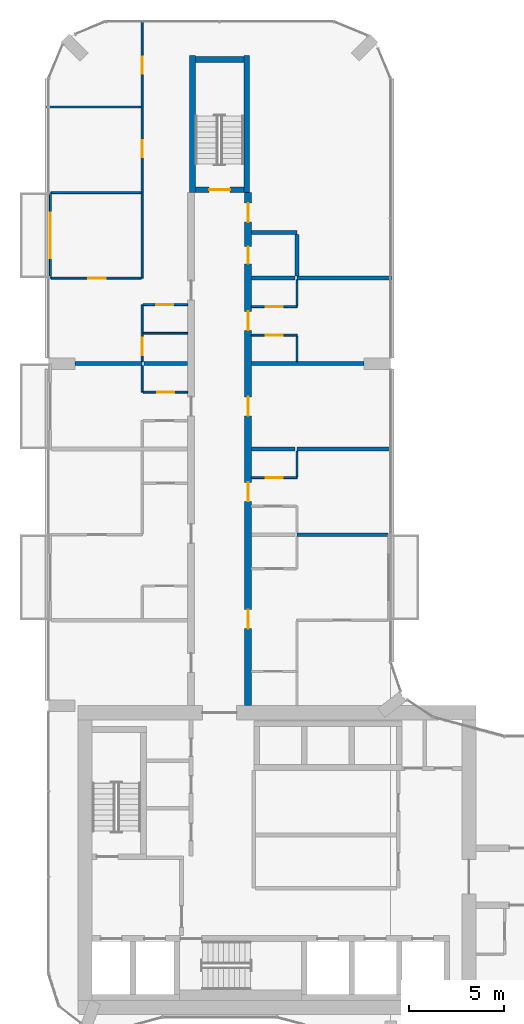
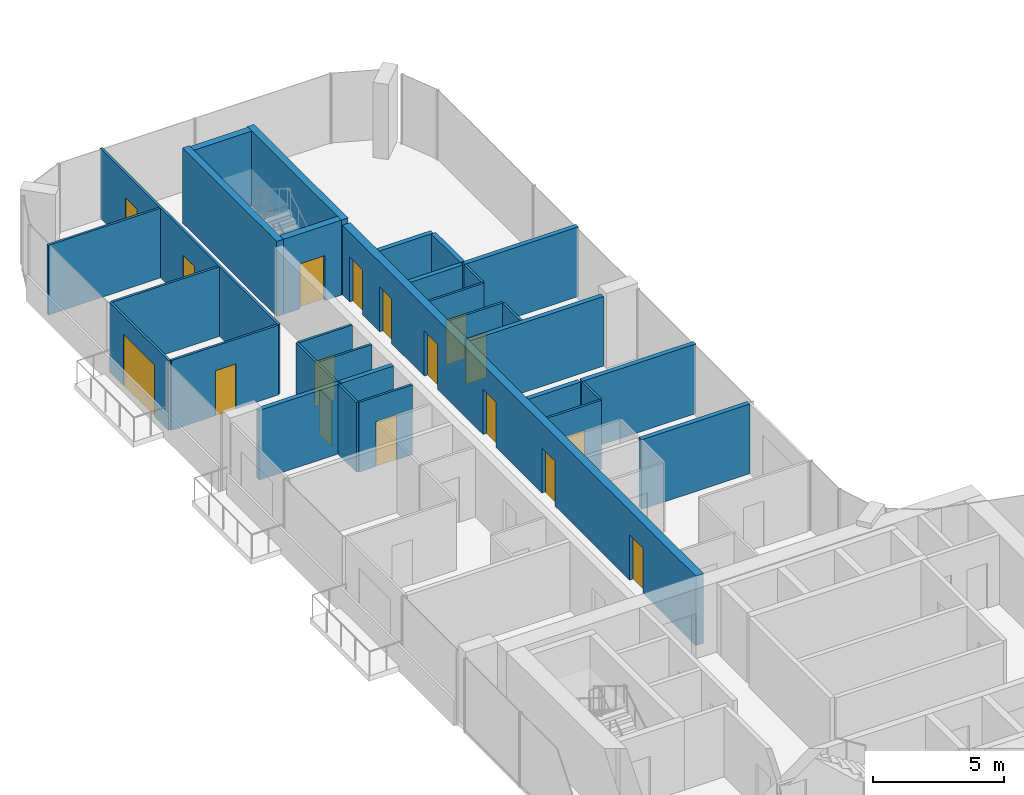
# One storey, part 16 of 22: 31 walls, 17 doors, 17 openings.
"""IFC4 building model written with IfcOpenShell, lengths in metres."""

from ifc_helpers import new_model, si_unit, direction, frame, frame_2d, origin, place, context, subcontext, project, spatial, rectangle, extrude, material, layer, layer_set, type_object, element, fill, save


model = new_model("IFC4")

# Units and contexts
model_context = context("Model", 3, precision=1e-05, world=origin(), true_north=direction((0.0, 1.0)))
body_context = subcontext(model_context, "Body", "Model", "MODEL_VIEW")
ifc_project = project(units=[si_unit("LENGTHUNIT", "METRE"), si_unit("AREAUNIT", "SQUARE_METRE"), si_unit("VOLUMEUNIT", "CUBIC_METRE"), si_unit("PLANEANGLEUNIT", "RADIAN"), si_unit("MASSUNIT", "GRAM", prefix="KILO")], contexts=[model_context])

# Site, building, storey
site_placement = place(None, origin())
site = spatial("IfcSite", under=ifc_project, at=site_placement, CompositionType="ELEMENT")
building_placement = place(site_placement, origin())
building = spatial("IfcBuilding", under=site, at=building_placement, Name="Plateau Cross Towers", CompositionType="ELEMENT")
storey_placement = place(building_placement, frame((0.0, 0.0, 58.300048828125)))
storey = spatial("IfcBuildingStorey", under=building, at=storey_placement, Name="L14", CompositionType="ELEMENT", Elevation=58.300048828125)

# Wall, opening, door
ifc_material_1 = material(Name="Aluminium framed glazing", Category="aluminium")
ifc_layer_1 = layer(ifc_material_1, 0.10009765625)
ifc_layer_set_1 = layer_set([ifc_layer_1], Name="Aluminium framed glazing")
wall_type_1 = type_object("IfcWallType", Name="Balcony screen wall 100", PredefinedType="STANDARD", material=ifc_layer_set_1)
wall_1_placement = place(storey_placement, frame((0.10009765625, 40.5, 0.0), z_axis=(0.0, 0.0, 1.0), x_axis=(0.0, 1.0, 0.0)))
wall_1 = element("IfcWall", 1, at=wall_1_placement, inside=storey, type_object=wall_type_1, Name="Balcony screen wall A-BAL-L14-03", PredefinedType="STANDARD", context=body_context, shape_type="SweptSolid", body=[
    extrude(rectangle(XDim=4.5, YDim=0.10009765625, at=frame_2d((2.25, 0.0))), origin(), (0.0, 0.0, 1.0), 3.25),
])
opening_1_placement = place(wall_1_placement, frame((1.050048828125, 0.0, 0.0)))
opening_1 = element("IfcOpeningElement", 2, at=opening_1_placement, cuts=wall_1, Name="Opening D-B24", PredefinedType="OPENING", context=body_context, shape_type="SweptSolid", body=[
    extrude(rectangle(XDim=2.39990234375, YDim=2.39990234375, at=frame_2d((1.199951171875, 1.199951171875))), frame((0.0, 0.06005859375, 0.0), z_axis=(0.0, -1.0, 0.0), x_axis=(1.0, 0.0, 0.0)), (0.0, 0.0, 1.0), 0.1201171875),
])
ifc_material_2 = material(Name="Aluminium frame, double glazing", Category="aluminium")
door_type_1 = type_object("IfcDoorType", Name="Balcony sliding door 2400", OperationType="NOTDEFINED", PredefinedType="DOOR", material=ifc_material_2)
door_1_placement = place(opening_1_placement, origin())
door_1 = element("IfcDoor", 3, at=door_1_placement, inside=storey, type_object=door_type_1, Name="Balcony door A-BAL-L14-03", OperationType="SINGLE_SWING_LEFT", OverallHeight=2.39990234375, OverallWidth=2.39990234375, PredefinedType="DOOR", context=body_context, shape_type="SweptSolid", body=[
    extrude(rectangle(XDim=2.39990234375, YDim=2.39990234375, at=frame_2d((1.199951171875, 1.199951171875))), frame((0.0, 0.02490234375, 0.0), z_axis=(0.0, -1.0, 0.0), x_axis=(1.0, 0.0, 0.0)), (0.0, 0.0, 1.0), 0.050048828125),
])
fill(opening_1, door_1)

# Wall, openings, doors
ifc_material_3 = material(Name="Concrete C60/75", Category="concrete")
ifc_layer_2 = layer(ifc_material_3, 0.35009765625)
ifc_layer_set_2 = layer_set([ifc_layer_2], Name="Concrete C60/75")
wall_type_2 = type_object("IfcWallType", Name="Corridor wall 350", PredefinedType="SHEAR", material=ifc_layer_set_2)
wall_2_placement = place(storey_placement, frame((10.5, 18.0, 0.0), z_axis=(0.0, 0.0, 1.0), x_axis=(0.0, 1.0, 0.0)))
wall_2 = element("IfcWall", 4, at=wall_2_placement, inside=storey, type_object=wall_type_2, Name="A-cw-W2@L14", PredefinedType="SHEAR", context=body_context, shape_type="SweptSolid", body=[
    extrude(rectangle(XDim=27.0, YDim=0.35009765625, at=frame_2d((13.5, 0.0))), origin(), (0.0, 0.0, 1.0), 3.25),
])
opening_2_placement = place(wall_2_placement, frame((4.050048828125, 0.0, 0.0)))
opening_2 = element("IfcOpeningElement", 5, at=opening_2_placement, cuts=wall_2, Name="Opening 14-14", PredefinedType="OPENING", context=body_context, shape_type="SweptSolid", body=[
    extrude(rectangle(XDim=1.0, YDim=2.10009765625, at=frame_2d((0.5, 1.050048828125))), frame((0.0, 0.18505859375, 0.0), z_axis=(0.0, -1.0, 0.0), x_axis=(1.0, 0.0, 0.0)), (0.0, 0.0, 1.0), 0.3701171875),
])
opening_3_placement = place(wall_2_placement, frame((10.75, 0.0, 0.0)))
opening_3 = element("IfcOpeningElement", 6, at=opening_3_placement, cuts=wall_2, Name="Opening 14-15", PredefinedType="OPENING", context=body_context, shape_type="SweptSolid", body=[
    extrude(rectangle(XDim=1.0, YDim=2.10009765625, at=frame_2d((0.5, 1.050048828125))), frame((0.0, 0.18505859375, 0.0), z_axis=(0.0, -1.0, 0.0), x_axis=(1.0, 0.0, 0.0)), (0.0, 0.0, 1.0), 0.3701171875),
])
opening_4_placement = place(wall_2_placement, frame((15.25, 0.0, 0.0)))
opening_4 = element("IfcOpeningElement", 7, at=opening_4_placement, cuts=wall_2, Name="Opening 14-16", PredefinedType="OPENING", context=body_context, shape_type="SweptSolid", body=[
    extrude(rectangle(XDim=1.0, YDim=2.10009765625, at=frame_2d((0.5, 1.050048828125))), frame((0.0, 0.18505859375, 0.0), z_axis=(0.0, -1.0, 0.0), x_axis=(1.0, 0.0, 0.0)), (0.0, 0.0, 1.0), 0.3701171875),
])
opening_5_placement = place(wall_2_placement, frame((19.75, 0.0, 0.0)))
opening_5 = element("IfcOpeningElement", 8, at=opening_5_placement, cuts=wall_2, Name="Opening 14-17", PredefinedType="OPENING", context=body_context, shape_type="SweptSolid", body=[
    extrude(rectangle(XDim=1.0, YDim=2.10009765625, at=frame_2d((0.5, 1.050048828125))), frame((0.0, 0.18505859375, 0.0), z_axis=(0.0, -1.0, 0.0), x_axis=(1.0, 0.0, 0.0)), (0.0, 0.0, 1.0), 0.3701171875),
])
opening_6_placement = place(wall_2_placement, frame((23.25, 0.0, 0.0)))
opening_6 = element("IfcOpeningElement", 9, at=opening_6_placement, cuts=wall_2, Name="Opening 14-18", PredefinedType="OPENING", context=body_context, shape_type="SweptSolid", body=[
    extrude(rectangle(XDim=0.89990234375, YDim=2.10009765625, at=frame_2d((0.449951171875, 1.050048828125))), frame((0.0, 0.18505859375, 0.0), z_axis=(0.0, -1.0, 0.0), x_axis=(1.0, 0.0, 0.0)), (0.0, 0.0, 1.0), 0.3701171875),
])
opening_7_placement = place(wall_2_placement, frame((25.449951171875, 0.0, 0.0)))
opening_7 = element("IfcOpeningElement", 10, at=opening_7_placement, cuts=wall_2, Name="Opening 14-19", PredefinedType="OPENING", context=body_context, shape_type="SweptSolid", body=[
    extrude(rectangle(XDim=1.0, YDim=2.10009765625, at=frame_2d((0.5, 1.050048828125))), frame((0.0, 0.18505859375, 0.0), z_axis=(0.0, -1.0, 0.0), x_axis=(1.0, 0.0, 0.0)), (0.0, 0.0, 1.0), 0.3701171875),
])
ifc_material_4 = material(Name="Timber, fire-resisting leaf", Category="wood")
door_type_2 = type_object("IfcDoorType", Name="Flat entrance door 1000", OperationType="NOTDEFINED", PredefinedType="DOOR", material=ifc_material_4)
door_2_placement = place(opening_2_placement, origin())
door_2 = element("IfcDoor", 11, at=door_2_placement, inside=storey, type_object=door_type_2, Name="Door 14-14", OperationType="SINGLE_SWING_LEFT", OverallHeight=2.10009765625, OverallWidth=1.0, PredefinedType="DOOR", context=body_context, shape_type="SweptSolid", body=[
    extrude(rectangle(XDim=1.0, YDim=2.10009765625, at=frame_2d((0.5, 1.050048828125))), frame((0.0, 0.02490234375, 0.0), z_axis=(0.0, -1.0, 0.0), x_axis=(1.0, 0.0, 0.0)), (0.0, 0.0, 1.0), 0.050048828125),
])
fill(opening_2, door_2)
door_3_placement = place(opening_3_placement, origin())
door_3 = element("IfcDoor", 12, at=door_3_placement, inside=storey, type_object=door_type_2, Name="Door 14-15", OperationType="SINGLE_SWING_LEFT", OverallHeight=2.10009765625, OverallWidth=1.0, PredefinedType="DOOR", context=body_context, shape_type="SweptSolid", body=[
    extrude(rectangle(XDim=1.0, YDim=2.10009765625, at=frame_2d((0.5, 1.050048828125))), frame((0.0, 0.02490234375, 0.0), z_axis=(0.0, -1.0, 0.0), x_axis=(1.0, 0.0, 0.0)), (0.0, 0.0, 1.0), 0.050048828125),
])
fill(opening_3, door_3)
door_4_placement = place(opening_4_placement, origin())
door_4 = element("IfcDoor", 13, at=door_4_placement, inside=storey, type_object=door_type_2, Name="Door 14-16", OperationType="SINGLE_SWING_RIGHT", OverallHeight=2.10009765625, OverallWidth=1.0, PredefinedType="DOOR", context=body_context, shape_type="SweptSolid", body=[
    extrude(rectangle(XDim=1.0, YDim=2.10009765625, at=frame_2d((0.5, 1.050048828125))), frame((0.0, 0.02490234375, 0.0), z_axis=(0.0, -1.0, 0.0), x_axis=(1.0, 0.0, 0.0)), (0.0, 0.0, 1.0), 0.050048828125),
])
fill(opening_4, door_4)
door_5_placement = place(opening_5_placement, origin())
door_5 = element("IfcDoor", 14, at=door_5_placement, inside=storey, type_object=door_type_2, Name="Door 14-17", OperationType="SINGLE_SWING_RIGHT", OverallHeight=2.10009765625, OverallWidth=1.0, PredefinedType="DOOR", context=body_context, shape_type="SweptSolid", body=[
    extrude(rectangle(XDim=1.0, YDim=2.10009765625, at=frame_2d((0.5, 1.050048828125))), frame((0.0, 0.02490234375, 0.0), z_axis=(0.0, -1.0, 0.0), x_axis=(1.0, 0.0, 0.0)), (0.0, 0.0, 1.0), 0.050048828125),
])
fill(opening_5, door_5)
door_6_placement = place(opening_7_placement, origin())
door_6 = element("IfcDoor", 15, at=door_6_placement, inside=storey, type_object=door_type_2, Name="Door 14-19", OperationType="SINGLE_SWING_RIGHT", OverallHeight=2.10009765625, OverallWidth=1.0, PredefinedType="DOOR", context=body_context, shape_type="SweptSolid", body=[
    extrude(rectangle(XDim=1.0, YDim=2.10009765625, at=frame_2d((0.5, 1.050048828125))), frame((0.0, 0.02490234375, 0.0), z_axis=(0.0, -1.0, 0.0), x_axis=(1.0, 0.0, 0.0)), (0.0, 0.0, 1.0), 0.050048828125),
])
fill(opening_7, door_6)
door_type_3 = type_object("IfcDoorType", Name="Flat floor service door 900", OperationType="NOTDEFINED", PredefinedType="DOOR", material=ifc_material_4)
door_7_placement = place(opening_6_placement, origin())
door_7 = element("IfcDoor", 16, at=door_7_placement, inside=storey, type_object=door_type_3, Name="Door 14-18", OperationType="SINGLE_SWING_RIGHT", OverallHeight=2.10009765625, OverallWidth=0.89990234375, PredefinedType="DOOR", context=body_context, shape_type="SweptSolid", body=[
    extrude(rectangle(XDim=0.89990234375, YDim=2.10009765625, at=frame_2d((0.449951171875, 1.050048828125))), frame((0.0, 0.02490234375, 0.0), z_axis=(0.0, -1.0, 0.0), x_axis=(1.0, 0.0, 0.0)), (0.0, 0.0, 1.0), 0.050048828125),
])
fill(opening_6, door_7)

# Wall, opening, door
ifc_material_5 = material(Name="Gypsum board on steel studs", Category="steel")
ifc_layer_3 = layer(ifc_material_5, 0.10009765625)
ifc_layer_set_3 = layer_set([ifc_layer_3], Name="Gypsum board on steel studs")
wall_type_3 = type_object("IfcWallType", Name="Flat partition 100", PredefinedType="PARTITIONING", material=ifc_layer_set_3)
wall_3_placement = place(storey_placement, frame((10.675048828125, 30.0, 0.0), z_axis=(0.0, 0.0, 1.0), x_axis=(1.0, 0.0, 0.0)))
wall_3 = element("IfcWall", 17, at=wall_3_placement, inside=storey, type_object=wall_type_3, Name="Partition wall", PredefinedType="PARTITIONING", context=body_context, shape_type="SweptSolid", body=[
    extrude(rectangle(XDim=2.39990234375, YDim=0.10009765625, at=frame_2d((1.199951171875, 0.0))), origin(), (0.0, 0.0, 1.0), 3.25),
])
opening_8_placement = place(wall_3_placement, frame((0.75, 0.0, 0.0)))
opening_8 = element("IfcOpeningElement", 18, at=opening_8_placement, cuts=wall_3, Name="Opening 14-45", PredefinedType="OPENING", context=body_context, shape_type="SweptSolid", body=[
    extrude(rectangle(XDim=0.89990234375, YDim=2.10009765625, at=frame_2d((0.449951171875, 1.050048828125))), frame((0.0, 0.06005859375, 0.0), z_axis=(0.0, -1.0, 0.0), x_axis=(1.0, 0.0, 0.0)), (0.0, 0.0, 1.0), 0.1201171875),
])
ifc_material_6 = material(Name="Timber leaf", Category="wood")
door_type_4 = type_object("IfcDoorType", Name="Flat room door 900", OperationType="NOTDEFINED", PredefinedType="DOOR", material=ifc_material_6)
door_8_placement = place(opening_8_placement, origin())
door_8 = element("IfcDoor", 19, at=door_8_placement, inside=storey, type_object=door_type_4, Name="Door 14-45", OperationType="SINGLE_SWING_RIGHT", OverallHeight=2.10009765625, OverallWidth=0.89990234375, PredefinedType="DOOR", context=body_context, shape_type="SweptSolid", body=[
    extrude(rectangle(XDim=0.89990234375, YDim=2.10009765625, at=frame_2d((0.449951171875, 1.050048828125))), frame((0.0, 0.02490234375, 0.0), z_axis=(0.0, -1.0, 0.0), x_axis=(1.0, 0.0, 0.0)), (0.0, 0.0, 1.0), 0.050048828125),
])
fill(opening_8, door_8)

wall_4_placement = place(storey_placement, frame((4.97509765625, 34.5, 0.0), z_axis=(0.0, 0.0, 1.0), x_axis=(1.0, 0.0, 0.0)))
wall_4 = element("IfcWall", 20, at=wall_4_placement, inside=storey, type_object=wall_type_3, Name="Partition wall", PredefinedType="PARTITIONING", context=body_context, shape_type="SweptSolid", body=[
    extrude(rectangle(XDim=2.349853515625, YDim=0.10009765625, at=frame_2d((1.1748046875, 0.0))), origin(), (0.0, 0.0, 1.0), 3.25),
])
opening_9_placement = place(wall_4_placement, frame((0.75, 0.0, 0.0)))
opening_9 = element("IfcOpeningElement", 21, at=opening_9_placement, cuts=wall_4, Name="Opening 14-35", PredefinedType="OPENING", context=body_context, shape_type="SweptSolid", body=[
    extrude(rectangle(XDim=0.89990234375, YDim=2.10009765625, at=frame_2d((0.449951171875, 1.050048828125))), frame((0.0, 0.06005859375, 0.0), z_axis=(0.0, -1.0, 0.0), x_axis=(1.0, 0.0, 0.0)), (0.0, 0.0, 1.0), 0.1201171875),
])
door_9_placement = place(opening_9_placement, origin())
door_9 = element("IfcDoor", 22, at=door_9_placement, inside=storey, type_object=door_type_4, Name="Door 14-35", OperationType="SINGLE_SWING_RIGHT", OverallHeight=2.10009765625, OverallWidth=0.89990234375, PredefinedType="DOOR", context=body_context, shape_type="SweptSolid", body=[
    extrude(rectangle(XDim=0.89990234375, YDim=2.10009765625, at=frame_2d((0.449951171875, 1.050048828125))), frame((0.0, 0.02490234375, 0.0), z_axis=(0.0, -1.0, 0.0), x_axis=(1.0, 0.0, 0.0)), (0.0, 0.0, 1.0), 0.050048828125),
])
fill(opening_9, door_9)

wall_5_placement = place(storey_placement, frame((13.074951171875, 37.5, 0.0), z_axis=(0.0, 0.0, 1.0), x_axis=(-1.0, 0.0, 0.0)))
wall_5 = element("IfcWall", 23, at=wall_5_placement, inside=storey, type_object=wall_type_3, Name="Partition wall", PredefinedType="PARTITIONING", context=body_context, shape_type="SweptSolid", body=[
    extrude(rectangle(XDim=2.39990234375, YDim=0.10009765625, at=frame_2d((1.199951171875, 0.0))), origin(), (0.0, 0.0, 1.0), 3.25),
])
opening_10_placement = place(wall_5_placement, frame((0.75, 0.0, 0.0)))
opening_10 = element("IfcOpeningElement", 24, at=opening_10_placement, cuts=wall_5, Name="Opening 14-46", PredefinedType="OPENING", context=body_context, shape_type="SweptSolid", body=[
    extrude(rectangle(XDim=0.89990234375, YDim=2.10009765625, at=frame_2d((0.449951171875, 1.050048828125))), frame((0.0, 0.06005859375, 0.0), z_axis=(0.0, -1.0, 0.0), x_axis=(1.0, 0.0, 0.0)), (0.0, 0.0, 1.0), 0.1201171875),
])
door_10_placement = place(opening_10_placement, origin())
door_10 = element("IfcDoor", 25, at=door_10_placement, inside=storey, type_object=door_type_4, Name="Door 14-46", OperationType="SINGLE_SWING_RIGHT", OverallHeight=2.10009765625, OverallWidth=0.89990234375, PredefinedType="DOOR", context=body_context, shape_type="SweptSolid", body=[
    extrude(rectangle(XDim=0.89990234375, YDim=2.10009765625, at=frame_2d((0.449951171875, 1.050048828125))), frame((0.0, 0.02490234375, 0.0), z_axis=(0.0, -1.0, 0.0), x_axis=(1.0, 0.0, 0.0)), (0.0, 0.0, 1.0), 0.050048828125),
])
fill(opening_10, door_10)

# Wall
wall_6_placement = place(storey_placement, frame((7.324951171875, 37.60009765625, 0.0), z_axis=(0.0, 0.0, 1.0), x_axis=(-1.0, 0.0, 0.0)))
element("IfcWall", 26, at=wall_6_placement, inside=storey, type_object=wall_type_3, Name="Partition wall", PredefinedType="PARTITIONING", context=body_context, shape_type="SweptSolid", body=[
    extrude(rectangle(XDim=2.349853515625, YDim=0.10009765625, at=frame_2d((1.1748046875, 0.0))), origin(), (0.0, 0.0, 1.0), 3.25),
])

# Wall, opening, door
wall_7_placement = place(storey_placement, frame((10.675048828125, 39.0, 0.0), z_axis=(0.0, 0.0, 1.0), x_axis=(1.0, 0.0, 0.0)))
wall_7 = element("IfcWall", 27, at=wall_7_placement, inside=storey, type_object=wall_type_3, Name="Partition wall", PredefinedType="PARTITIONING", context=body_context, shape_type="SweptSolid", body=[
    extrude(rectangle(XDim=2.39990234375, YDim=0.10009765625, at=frame_2d((1.199951171875, 0.0))), origin(), (0.0, 0.0, 1.0), 3.25),
])
opening_11_placement = place(wall_7_placement, frame((0.75, 0.0, 0.0)))
opening_11 = element("IfcOpeningElement", 28, at=opening_11_placement, cuts=wall_7, Name="Opening 14-47", PredefinedType="OPENING", context=body_context, shape_type="SweptSolid", body=[
    extrude(rectangle(XDim=0.89990234375, YDim=2.10009765625, at=frame_2d((0.449951171875, 1.050048828125))), frame((0.0, 0.06005859375, 0.0), z_axis=(0.0, -1.0, 0.0), x_axis=(1.0, 0.0, 0.0)), (0.0, 0.0, 1.0), 0.1201171875),
])
door_11_placement = place(opening_11_placement, origin())
door_11 = element("IfcDoor", 29, at=door_11_placement, inside=storey, type_object=door_type_4, Name="Door 14-47", OperationType="SINGLE_SWING_RIGHT", OverallHeight=2.10009765625, OverallWidth=0.89990234375, PredefinedType="DOOR", context=body_context, shape_type="SweptSolid", body=[
    extrude(rectangle(XDim=0.89990234375, YDim=2.10009765625, at=frame_2d((0.449951171875, 1.050048828125))), frame((0.0, 0.02490234375, 0.0), z_axis=(0.0, -1.0, 0.0), x_axis=(1.0, 0.0, 0.0)), (0.0, 0.0, 1.0), 0.050048828125),
])
fill(opening_11, door_11)

wall_8_placement = place(storey_placement, frame((7.324951171875, 39.10009765625, 0.0), z_axis=(0.0, 0.0, 1.0), x_axis=(-1.0, 0.0, 0.0)))
wall_8 = element("IfcWall", 30, at=wall_8_placement, inside=storey, type_object=wall_type_3, Name="Partition wall", PredefinedType="PARTITIONING", context=body_context, shape_type="SweptSolid", body=[
    extrude(rectangle(XDim=2.349853515625, YDim=0.10009765625, at=frame_2d((1.1748046875, 0.0))), origin(), (0.0, 0.0, 1.0), 3.25),
])
opening_12_placement = place(wall_8_placement, frame((0.75, 0.0, 0.0)))
opening_12 = element("IfcOpeningElement", 31, at=opening_12_placement, cuts=wall_8, Name="Opening 14-37", PredefinedType="OPENING", context=body_context, shape_type="SweptSolid", body=[
    extrude(rectangle(XDim=0.89990234375, YDim=2.10009765625, at=frame_2d((0.449951171875, 1.050048828125))), frame((0.0, 0.06005859375, 0.0), z_axis=(0.0, -1.0, 0.0), x_axis=(1.0, 0.0, 0.0)), (0.0, 0.0, 1.0), 0.1201171875),
])
door_12_placement = place(opening_12_placement, origin())
door_12 = element("IfcDoor", 32, at=door_12_placement, inside=storey, type_object=door_type_4, Name="Door 14-37", OperationType="SINGLE_SWING_RIGHT", OverallHeight=2.10009765625, OverallWidth=0.89990234375, PredefinedType="DOOR", context=body_context, shape_type="SweptSolid", body=[
    extrude(rectangle(XDim=0.89990234375, YDim=2.10009765625, at=frame_2d((0.449951171875, 1.050048828125))), frame((0.0, 0.02490234375, 0.0), z_axis=(0.0, -1.0, 0.0), x_axis=(1.0, 0.0, 0.0)), (0.0, 0.0, 1.0), 0.050048828125),
])
fill(opening_12, door_12)

wall_9_placement = place(storey_placement, frame((0.14990234375, 40.5, 0.0), z_axis=(0.0, 0.0, 1.0), x_axis=(1.0, 0.0, 0.0)))
wall_9 = element("IfcWall", 33, at=wall_9_placement, inside=storey, type_object=wall_type_3, Name="Partition wall", PredefinedType="PARTITIONING", context=body_context, shape_type="SweptSolid", body=[
    extrude(rectangle(XDim=4.72509765625, YDim=0.10009765625, at=frame_2d((2.362548828125, 0.0))), origin(), (0.0, 0.0, 1.0), 3.25),
])
opening_13_placement = place(wall_9_placement, frame((1.949951171875, 0.0, 0.0)))
opening_13 = element("IfcOpeningElement", 34, at=opening_13_placement, cuts=wall_9, Name="Opening 14-38", PredefinedType="OPENING", context=body_context, shape_type="SweptSolid", body=[
    extrude(rectangle(XDim=0.89990234375, YDim=2.10009765625, at=frame_2d((0.449951171875, 1.050048828125))), frame((0.0, 0.06005859375, 0.0), z_axis=(0.0, -1.0, 0.0), x_axis=(1.0, 0.0, 0.0)), (0.0, 0.0, 1.0), 0.1201171875),
])
door_13_placement = place(opening_13_placement, origin())
door_13 = element("IfcDoor", 35, at=door_13_placement, inside=storey, type_object=door_type_4, Name="Door 14-38", OperationType="SINGLE_SWING_RIGHT", OverallHeight=2.10009765625, OverallWidth=0.89990234375, PredefinedType="DOOR", context=body_context, shape_type="SweptSolid", body=[
    extrude(rectangle(XDim=0.89990234375, YDim=2.10009765625, at=frame_2d((0.449951171875, 1.050048828125))), frame((0.0, 0.02490234375, 0.0), z_axis=(0.0, -1.0, 0.0), x_axis=(1.0, 0.0, 0.0)), (0.0, 0.0, 1.0), 0.050048828125),
])
fill(opening_13, door_13)

# Walls
wall_10_placement = place(storey_placement, frame((4.875, 45.0, 0.0), z_axis=(0.0, 0.0, 1.0), x_axis=(-1.0, 0.0, 0.0)))
element("IfcWall", 36, at=wall_10_placement, inside=storey, type_object=wall_type_3, Name="Partition wall", PredefinedType="PARTITIONING", context=body_context, shape_type="SweptSolid", body=[
    extrude(rectangle(XDim=4.72509765625, YDim=0.10009765625, at=frame_2d((2.362548828125, 0.0))), origin(), (0.0, 0.0, 1.0), 3.25),
])
wall_11_placement = place(storey_placement, frame((4.875, 49.5, 0.0), z_axis=(0.0, 0.0, 1.0), x_axis=(-1.0, 0.0, 0.0)))
element("IfcWall", 37, at=wall_11_placement, inside=storey, type_object=wall_type_3, Name="Partition wall", PredefinedType="PARTITIONING", context=body_context, shape_type="SweptSolid", body=[
    extrude(rectangle(XDim=4.955078125, YDim=0.10009765625, at=frame_2d((2.4775390625, 0.0))), origin(), (0.0, 0.0, 1.0), 3.25),
])
wall_12_placement = place(storey_placement, frame((4.925048828125, 35.89990234375, 0.0), z_axis=(0.0, 0.0, 1.0), x_axis=(0.0, -1.0, 0.0)))
element("IfcWall", 38, at=wall_12_placement, inside=storey, type_object=wall_type_3, Name="Partition wall", PredefinedType="PARTITIONING", context=body_context, shape_type="SweptSolid", body=[
    extrude(rectangle(XDim=1.39990234375, YDim=0.10009765625, at=frame_2d((0.699951171875, 0.0))), origin(), (0.0, 0.0, 1.0), 3.25),
])

# Wall, opening, door
wall_13_placement = place(storey_placement, frame((4.925048828125, 39.10009765625, 0.0), z_axis=(0.0, 0.0, 1.0), x_axis=(0.0, -1.0, 0.0)))
wall_13 = element("IfcWall", 39, at=wall_13_placement, inside=storey, type_object=wall_type_3, Name="Partition wall", PredefinedType="PARTITIONING", context=body_context, shape_type="SweptSolid", body=[
    extrude(rectangle(XDim=3.0, YDim=0.10009765625, at=frame_2d((1.5, 0.0))), origin(), (0.0, 0.0, 1.0), 3.25),
])
opening_14_placement = place(wall_13_placement, frame((1.75, 0.0, 0.0)))
opening_14 = element("IfcOpeningElement", 40, at=opening_14_placement, cuts=wall_13, Name="Opening 14-36", PredefinedType="OPENING", context=body_context, shape_type="SweptSolid", body=[
    extrude(rectangle(XDim=0.89990234375, YDim=2.10009765625, at=frame_2d((0.449951171875, 1.050048828125))), frame((0.0, 0.06005859375, 0.0), z_axis=(0.0, -1.0, 0.0), x_axis=(1.0, 0.0, 0.0)), (0.0, 0.0, 1.0), 0.1201171875),
])
door_14_placement = place(opening_14_placement, origin())
door_14 = element("IfcDoor", 41, at=door_14_placement, inside=storey, type_object=door_type_4, Name="Door 14-36", OperationType="SINGLE_SWING_RIGHT", OverallHeight=2.10009765625, OverallWidth=0.89990234375, PredefinedType="DOOR", context=body_context, shape_type="SweptSolid", body=[
    extrude(rectangle(XDim=0.89990234375, YDim=2.10009765625, at=frame_2d((0.449951171875, 1.050048828125))), frame((0.0, 0.02490234375, 0.0), z_axis=(0.0, -1.0, 0.0), x_axis=(1.0, 0.0, 0.0)), (0.0, 0.0, 1.0), 0.050048828125),
])
fill(opening_14, door_14)

# Wall, openings, doors
wall_14_placement = place(storey_placement, frame((4.925048828125, 40.5, 0.0), z_axis=(0.0, 0.0, 1.0), x_axis=(0.0, 1.0, 0.0)))
wall_14 = element("IfcWall", 42, at=wall_14_placement, inside=storey, type_object=wall_type_3, Name="Partition wall", PredefinedType="PARTITIONING", context=body_context, shape_type="SweptSolid", body=[
    extrude(rectangle(XDim=13.580078125, YDim=0.10009765625, at=frame_2d((6.7900390625, 0.0))), origin(), (0.0, 0.0, 1.0), 3.25),
])
opening_15_placement = place(wall_14_placement, frame((6.35009765625, 0.0, 0.0)))
opening_15 = element("IfcOpeningElement", 43, at=opening_15_placement, cuts=wall_14, Name="Opening 14-39", PredefinedType="OPENING", context=body_context, shape_type="SweptSolid", body=[
    extrude(rectangle(XDim=0.89990234375, YDim=2.10009765625, at=frame_2d((0.449951171875, 1.050048828125))), frame((0.0, 0.06005859375, 0.0), z_axis=(0.0, -1.0, 0.0), x_axis=(1.0, 0.0, 0.0)), (0.0, 0.0, 1.0), 0.1201171875),
])
opening_16_placement = place(wall_14_placement, frame((10.75, 0.0, 0.0)))
opening_16 = element("IfcOpeningElement", 44, at=opening_16_placement, cuts=wall_14, Name="Opening 14-40", PredefinedType="OPENING", context=body_context, shape_type="SweptSolid", body=[
    extrude(rectangle(XDim=0.89990234375, YDim=2.10009765625, at=frame_2d((0.449951171875, 1.050048828125))), frame((0.0, 0.06005859375, 0.0), z_axis=(0.0, -1.0, 0.0), x_axis=(1.0, 0.0, 0.0)), (0.0, 0.0, 1.0), 0.1201171875),
])
door_15_placement = place(opening_15_placement, origin())
door_15 = element("IfcDoor", 45, at=door_15_placement, inside=storey, type_object=door_type_4, Name="Door 14-39", OperationType="SINGLE_SWING_RIGHT", OverallHeight=2.10009765625, OverallWidth=0.89990234375, PredefinedType="DOOR", context=body_context, shape_type="SweptSolid", body=[
    extrude(rectangle(XDim=0.89990234375, YDim=2.10009765625, at=frame_2d((0.449951171875, 1.050048828125))), frame((0.0, 0.02490234375, 0.0), z_axis=(0.0, -1.0, 0.0), x_axis=(1.0, 0.0, 0.0)), (0.0, 0.0, 1.0), 0.050048828125),
])
fill(opening_15, door_15)
door_16_placement = place(opening_16_placement, origin())
door_16 = element("IfcDoor", 46, at=door_16_placement, inside=storey, type_object=door_type_4, Name="Door 14-40", OperationType="SINGLE_SWING_RIGHT", OverallHeight=2.10009765625, OverallWidth=0.89990234375, PredefinedType="DOOR", context=body_context, shape_type="SweptSolid", body=[
    extrude(rectangle(XDim=0.89990234375, YDim=2.10009765625, at=frame_2d((0.449951171875, 1.050048828125))), frame((0.0, 0.02490234375, 0.0), z_axis=(0.0, -1.0, 0.0), x_axis=(1.0, 0.0, 0.0)), (0.0, 0.0, 1.0), 0.050048828125),
])
fill(opening_16, door_16)

# Walls
for number, where, z_axis, x_axis, name in (
    (47, (13.074951171875, 30.050048828125, 0.0), (0.0, 0.0, 1.0), (0.0, 1.0, 0.0), "Partition wall"),
    (48, (13.074951171875, 36.10009765625, 0.0), (0.0, 0.0, 1.0), (0.0, 1.0, 0.0), "Partition wall"),
    (49, (13.074951171875, 39.050048828125, 0.0), (0.0, 0.0, 1.0), (0.0, 1.0, 0.0), "Partition wall"),
):
    element("IfcWall", number, at=place(storey_placement, frame(where, z_axis=z_axis, x_axis=x_axis)), inside=storey, type_object=wall_type_3, Name=name, PredefinedType="PARTITIONING", context=body_context, shape_type="SweptSolid", body=[
        extrude(rectangle(XDim=1.349853515625, YDim=0.10009765625, at=frame_2d((0.6748046875, 0.0))), origin(), (0.0, 0.0, 1.0), 3.25),
    ])
ifc_material_7 = material(Name="Gypsum board on steel studs, two layers each side", Category="steel")
ifc_layer_4 = layer(ifc_material_7, 0.199951171875)
ifc_layer_set_4 = layer_set([ifc_layer_4], Name="Gypsum board on steel studs, two layers each side")
wall_type_4 = type_object("IfcWallType", Name="Flat party wall 200", PredefinedType="PARTITIONING", material=ifc_layer_set_4)
wall_15_placement = place(storey_placement, frame((13.074951171875, 27.0, 0.0), z_axis=(0.0, 0.0, 1.0), x_axis=(1.0, 0.0, 0.0)))
element("IfcWall", 50, at=wall_15_placement, inside=storey, type_object=wall_type_4, Name="Party wall", PredefinedType="PARTITIONING", context=body_context, shape_type="SweptSolid", body=[
    extrude(rectangle(XDim=4.775146484375, YDim=0.199951171875, at=frame_2d((2.3876953125, 0.0))), origin(), (0.0, 0.0, 1.0), 3.25),
])
wall_16_placement = place(storey_placement, frame((12.97509765625, 31.5, 0.0), z_axis=(0.0, 0.0, 1.0), x_axis=(-1.0, 0.0, 0.0)))
element("IfcWall", 51, at=wall_16_placement, inside=storey, type_object=wall_type_4, Name="Party wall", PredefinedType="PARTITIONING", context=body_context, shape_type="SweptSolid", body=[
    extrude(rectangle(XDim=2.300048828125, YDim=0.199951171875, at=frame_2d((1.14990234375, 0.0))), origin(), (0.0, 0.0, 1.0), 3.25),
])
wall_17_placement = place(storey_placement, frame((13.074951171875, 31.5, 0.0), z_axis=(0.0, 0.0, 1.0), x_axis=(1.0, 0.0, 0.0)))
element("IfcWall", 52, at=wall_17_placement, inside=storey, type_object=wall_type_4, Name="Party wall", PredefinedType="PARTITIONING", context=body_context, shape_type="SweptSolid", body=[
    extrude(rectangle(XDim=5.005126953125, YDim=0.199951171875, at=frame_2d((2.50244140625, 0.0))), origin(), (0.0, 0.0, 1.0), 3.25),
])
wall_18_placement = place(storey_placement, frame((7.324951171875, 36.0, 0.0), z_axis=(0.0, 0.0, 1.0), x_axis=(-1.0, 0.0, 0.0)))
element("IfcWall", 53, at=wall_18_placement, inside=storey, type_object=wall_type_4, Name="Party wall", PredefinedType="PARTITIONING", context=body_context, shape_type="SweptSolid", body=[
    extrude(rectangle(XDim=2.300048828125, YDim=0.199951171875, at=frame_2d((1.14990234375, 0.0))), origin(), (0.0, 0.0, 1.0), 3.25),
])
wall_19_placement = place(storey_placement, frame((16.60009765625, 36.0, 0.0), z_axis=(0.0, 0.0, 1.0), x_axis=(-1.0, 0.0, 0.0)))
element("IfcWall", 54, at=wall_19_placement, inside=storey, type_object=wall_type_4, Name="Party wall", PredefinedType="PARTITIONING", context=body_context, shape_type="SweptSolid", body=[
    extrude(rectangle(XDim=5.925048828125, YDim=0.199951171875, at=frame_2d((2.96240234375, 0.0))), origin(), (0.0, 0.0, 1.0), 3.25),
])
wall_20_placement = place(storey_placement, frame((1.39990234375, 36.0, 0.0), z_axis=(0.0, 0.0, 1.0), x_axis=(1.0, 0.0, 0.0)))
element("IfcWall", 55, at=wall_20_placement, inside=storey, type_object=wall_type_4, Name="Party wall", PredefinedType="PARTITIONING", context=body_context, shape_type="SweptSolid", body=[
    extrude(rectangle(XDim=3.525146484375, YDim=0.199951171875, at=frame_2d((1.7626953125, 0.0))), origin(), (0.0, 0.0, 1.0), 3.25),
])
wall_21_placement = place(storey_placement, frame((12.97509765625, 40.5, 0.0), z_axis=(0.0, 0.0, 1.0), x_axis=(-1.0, 0.0, 0.0)))
element("IfcWall", 56, at=wall_21_placement, inside=storey, type_object=wall_type_4, Name="Party wall", PredefinedType="PARTITIONING", context=body_context, shape_type="SweptSolid", body=[
    extrude(rectangle(XDim=2.300048828125, YDim=0.199951171875, at=frame_2d((1.14990234375, 0.0))), origin(), (0.0, 0.0, 1.0), 3.25),
])
wall_22_placement = place(storey_placement, frame((13.074951171875, 40.5, 0.0), z_axis=(0.0, 0.0, 1.0), x_axis=(1.0, 0.0, 0.0)))
element("IfcWall", 57, at=wall_22_placement, inside=storey, type_object=wall_type_4, Name="Party wall", PredefinedType="PARTITIONING", context=body_context, shape_type="SweptSolid", body=[
    extrude(rectangle(XDim=5.005126953125, YDim=0.199951171875, at=frame_2d((2.50244140625, 0.0))), origin(), (0.0, 0.0, 1.0), 3.25),
])
wall_23_placement = place(storey_placement, frame((13.074951171875, 42.89990234375, 0.0), z_axis=(0.0, 0.0, 1.0), x_axis=(-1.0, 0.0, 0.0)))
element("IfcWall", 58, at=wall_23_placement, inside=storey, type_object=wall_type_4, Name="Party wall", PredefinedType="PARTITIONING", context=body_context, shape_type="SweptSolid", body=[
    extrude(rectangle(XDim=2.39990234375, YDim=0.199951171875, at=frame_2d((1.199951171875, 0.0))), origin(), (0.0, 0.0, 1.0), 3.25),
])
wall_24_placement = place(storey_placement, frame((13.074951171875, 40.60009765625, 0.0), z_axis=(0.0, 0.0, 1.0), x_axis=(0.0, 1.0, 0.0)))
element("IfcWall", 59, at=wall_24_placement, inside=storey, type_object=wall_type_4, Name="Party wall", PredefinedType="PARTITIONING", context=body_context, shape_type="SweptSolid", body=[
    extrude(rectangle(XDim=2.199951171875, YDim=0.199951171875, at=frame_2d((1.10009765625, 0.0))), origin(), (0.0, 0.0, 1.0), 3.25),
])

# Wall, opening, door
ifc_layer_5 = layer(ifc_material_3, 0.300048828125)
ifc_layer_set_5 = layer_set([ifc_layer_5], Name="Concrete C60/75")
wall_type_5 = type_object("IfcWallType", Name="Stair tower wall 300", PredefinedType="SHEAR", material=ifc_layer_set_5)
wall_25_placement = place(storey_placement, frame((7.72509765625, 45.14990234375, 0.0), z_axis=(0.0, 0.0, 1.0), x_axis=(1.0, 0.0, 0.0)))
wall_25 = element("IfcWall", 60, at=wall_25_placement, inside=storey, type_object=wall_type_5, Name="A-end-N-S@L14", PredefinedType="SHEAR", context=body_context, shape_type="SweptSolid", body=[
    extrude(rectangle(XDim=2.5498046875, YDim=0.300048828125, at=frame_2d((1.27490234375, 0.0))), origin(), (0.0, 0.0, 1.0), 3.5),
])
opening_17_placement = place(wall_25_placement, frame((0.72509765625, 0.0, 0.0)))
opening_17 = element("IfcOpeningElement", 61, at=opening_17_placement, cuts=wall_25, Name="Opening SD", PredefinedType="OPENING", context=body_context, shape_type="SweptSolid", body=[
    extrude(rectangle(XDim=1.10009765625, YDim=2.10009765625, at=frame_2d((0.550048828125, 1.050048828125))), frame((0.0, 0.159912109375, 0.0), z_axis=(0.0, -1.0, 0.0), x_axis=(1.0, 0.0, 0.0)), (0.0, 0.0, 1.0), 0.320068359375),
])
ifc_material_8 = material(Name="Steel, fire-resisting leaf", Category="steel")
door_type_5 = type_object("IfcDoorType", Name="Stair door 1100", OperationType="NOTDEFINED", PredefinedType="DOOR", material=ifc_material_8)
door_17_placement = place(opening_17_placement, origin())
door_17 = element("IfcDoor", 62, at=door_17_placement, inside=storey, type_object=door_type_5, Name="Stair door SD", OperationType="SINGLE_SWING_LEFT", OverallHeight=2.10009765625, OverallWidth=1.10009765625, PredefinedType="DOOR", context=body_context, shape_type="SweptSolid", body=[
    extrude(rectangle(XDim=1.10009765625, YDim=2.10009765625, at=frame_2d((0.550048828125, 1.050048828125))), frame((0.0, 0.02490234375, 0.0), z_axis=(0.0, -1.0, 0.0), x_axis=(1.0, 0.0, 0.0)), (0.0, 0.0, 1.0), 0.050048828125),
])
fill(opening_17, door_17)

# Walls
wall_26_placement = place(storey_placement, frame((7.72509765625, 52.0, 0.0), z_axis=(0.0, 0.0, 1.0), x_axis=(1.0, 0.0, 0.0)))
element("IfcWall", 63, at=wall_26_placement, inside=storey, type_object=wall_type_5, Name="A-end-N-N@L14", PredefinedType="SHEAR", context=body_context, shape_type="SweptSolid", body=[
    extrude(rectangle(XDim=2.5498046875, YDim=0.300048828125, at=frame_2d((1.27490234375, 0.0))), origin(), (0.0, 0.0, 1.0), 3.5),
])
for number, where, z_axis, x_axis, name in (
    (64, (7.574951171875, 45.0, 0.0), (0.0, 0.0, 1.0), (0.0, 1.0, 0.0), "A-end-N-W@L14"),
    (65, (10.425048828125, 45.0, 0.0), (0.0, 0.0, 1.0), (0.0, 1.0, 0.0), "A-end-N-E@L14"),
):
    element("IfcWall", number, at=place(storey_placement, frame(where, z_axis=z_axis, x_axis=x_axis)), inside=storey, type_object=wall_type_5, Name=name, PredefinedType="SHEAR", context=body_context, shape_type="SweptSolid", body=[
        extrude(rectangle(XDim=7.199951171875, YDim=0.300048828125, at=frame_2d((3.60009765625, 0.0))), origin(), (0.0, 0.0, 1.0), 3.5),
    ])

save(model, "model.ifc")
